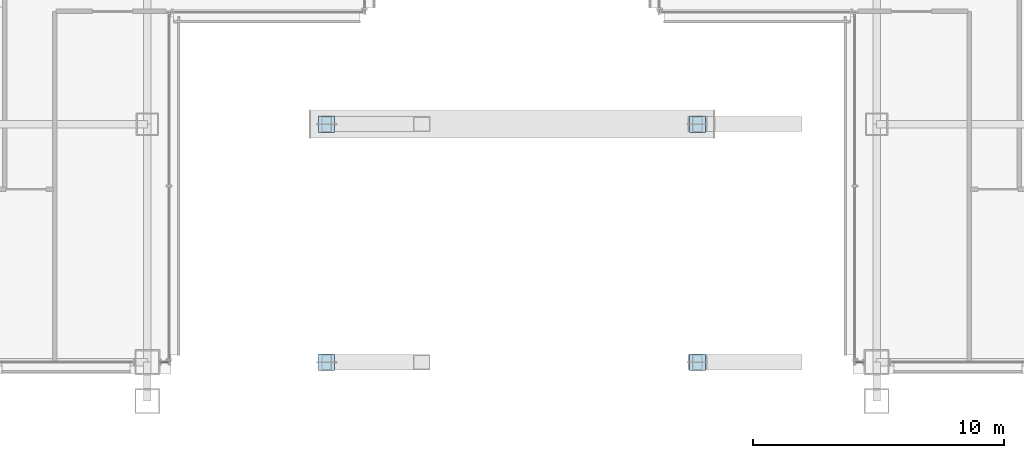
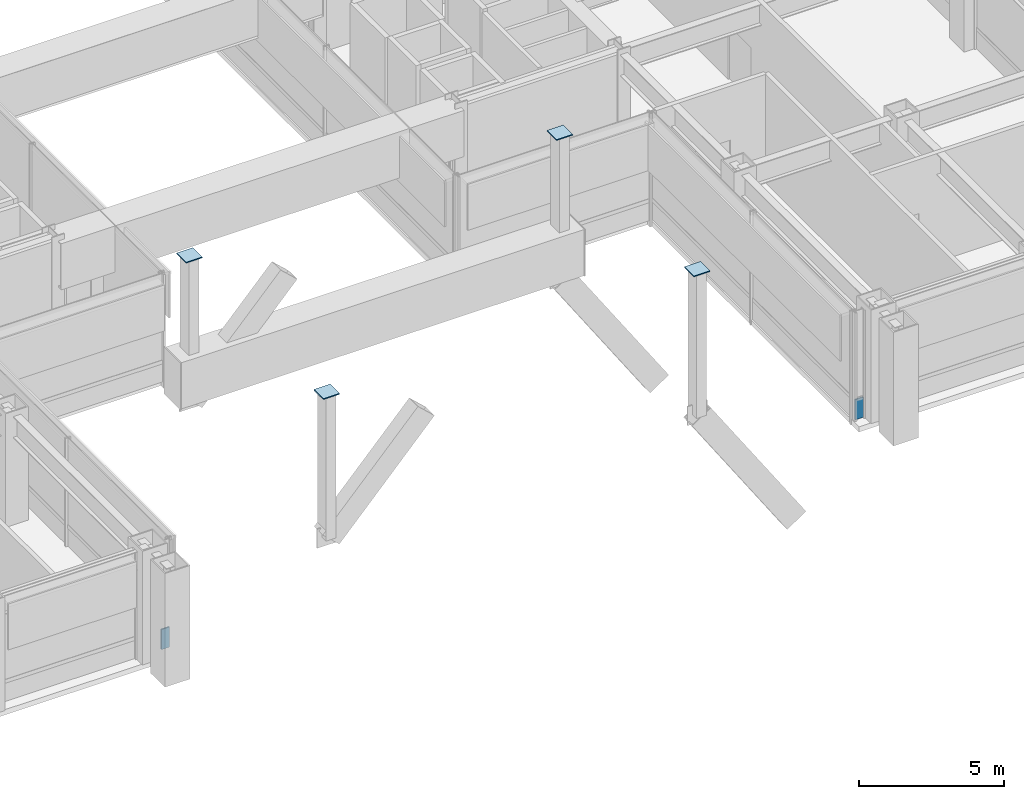
# One storey, part 35 of 42: 6 plates, 2 elements without a shape of their own.
"""IFC4 building model written with IfcOpenShell, lengths in metres."""

from ifc_helpers import new_model, si_unit, direction, frame, origin, origin_2d, place, context, subcontext, project, spatial, rectangle, extrude, material, layer, layer_set, type_object, element, aggregate, save


model = new_model("IFC4")

# Units and contexts
model_context = context("Model", 3, precision=1e-05, world=origin(), true_north=direction((0.0, 1.0)))
body_context = subcontext(model_context, "Body", "Model", "MODEL_VIEW")
ifc_project = project(units=[si_unit("LENGTHUNIT", "METRE"), si_unit("AREAUNIT", "SQUARE_METRE"), si_unit("VOLUMEUNIT", "CUBIC_METRE"), si_unit("PLANEANGLEUNIT", "RADIAN"), si_unit("MASSUNIT", "GRAM", prefix="KILO")], contexts=[model_context])

# Site, building, storey
site_placement = place(None, origin())
site = spatial("IfcSite", under=ifc_project, at=site_placement, CompositionType="ELEMENT")
building_placement = place(site_placement, origin())
building = spatial("IfcBuilding", under=site, at=building_placement, Name="Brelmoor Portico Tower", CompositionType="ELEMENT")
storey_placement = place(building_placement, frame((0.0, 0.0, 9.60009765625)))
storey = spatial("IfcBuildingStorey", under=building, at=storey_placement, Name="L02", CompositionType="ELEMENT", Elevation=9.60009765625)

# Plates
ifc_material_1 = material(Name="Steel Q355B", Category="steel")
ifc_layer_1 = layer(ifc_material_1, 0.044921875)
ifc_layer_set_1 = layer_set([ifc_layer_1], Name="Steel Q355B")
plate_type_1 = type_object("IfcPlateType", Name="PT-CAP-650", PredefinedType="SHEET", material=ifc_layer_set_1)
for number, where, z_axis, x_axis, name in (
    (1, (-7.39990234375, -27.550048828125, 8.532470703125), (0.0, 0.0, 1.0), (1.0, 0.0, 0.0), "Portico Arch Spandrel Strut S1-2 Joint Cap Plate 2"),
    (2, (7.39990234375, -27.550048828125, 8.532470703125), (0.0, 0.0, 1.0), (1.0, 0.0, 0.0), "Portico Arch Spandrel Strut S1-5 Joint Cap Plate 2"),
    (3, (-7.39990234375, -18.050048828125, 8.532470703125), (0.0, 0.0, 1.0), (1.0, 0.0, 0.0), "Portico Arch Spandrel Strut S2-2 Joint Cap Plate 2"),
    (4, (7.39990234375, -18.050048828125, 8.532470703125), (0.0, 0.0, 1.0), (1.0, 0.0, 0.0), "Portico Arch Spandrel Strut S2-5 Joint Cap Plate 2"),
):
    element("IfcPlate", number, at=place(storey_placement, frame(where, z_axis=z_axis, x_axis=x_axis)), inside=storey, type_object=plate_type_1, Name=name, PredefinedType="SHEET", context=body_context, shape_type="SweptSolid", body=[
        extrude(rectangle(XDim=0.64990234375, YDim=0.64990234375, at=origin_2d()), origin(), (0.0, 0.0, 1.0), 0.044921875),
    ])

# Curtain wall, plate
ifc_material_2 = material(Name="Anodised Aluminium Alloy 6063-T6", Category="aluminium")
ifc_layer_2 = layer(ifc_material_2, 0.179931640625)
ifc_layer_set_2 = layer_set([ifc_layer_2], Name="Anodised Aluminium Alloy 6063-T6")
curtain_wall_type = type_object("IfcCurtainWallType", Name="CW-PODIUM-ARCH", PredefinedType="NOTDEFINED", material=ifc_layer_set_2)
curtain_wall_1_placement = place(storey_placement, origin())
curtain_wall_1 = element("IfcCurtainWall", 5, at=curtain_wall_1_placement, inside=storey, type_object=curtain_wall_type, Name="L02 Curtain Wall CW-L02-01-3", PredefinedType="NOTDEFINED")
ifc_material_3 = material(Name="Pale Champagne Anodised Aluminium Panel", Category="aluminium")
ifc_layer_3 = layer(ifc_material_3, 0.050048828125)
ifc_layer_set_3 = layer_set([ifc_layer_3], Name="Pale Champagne Anodised Aluminium Panel")
plate_type_2 = type_object("IfcPlateType", Name="PT-CW-SPANDREL", PredefinedType="SHEET", material=ifc_layer_set_3)
plate_1_placement = place(storey_placement, frame((-13.860107421875, -27.550048828125, -0.000244140625), z_axis=(0.0, 0.0, 1.0), x_axis=(1.0, 0.0, 0.0)))
plate_1 = element("IfcPlate", 6, at=plate_1_placement, type_object=plate_type_2, Name="CW-L02-01-3 Spandrel Panel 00", PredefinedType="SHEET", context=body_context, shape_type="SweptSolid", body=[
    extrude(rectangle(XDim=0.330078125, YDim=0.050048828125, at=origin_2d()), origin(), (0.0, 0.0, 1.0), 0.85009765625),
])
aggregate(curtain_wall_1, [plate_1])

curtain_wall_2_placement = place(storey_placement, origin())
curtain_wall_2 = element("IfcCurtainWall", 7, at=curtain_wall_2_placement, inside=storey, type_object=curtain_wall_type, Name="L02 Curtain Wall CW-L02-02-1", PredefinedType="NOTDEFINED")
plate_2_placement = place(storey_placement, frame((13.860107421875, -27.550048828125, -0.000244140625), z_axis=(0.0, 0.0, 1.0), x_axis=(1.0, 0.0, 0.0)))
plate_2 = element("IfcPlate", 8, at=plate_2_placement, type_object=plate_type_2, Name="CW-L02-02-1 Spandrel Panel 00", PredefinedType="SHEET", context=body_context, shape_type="SweptSolid", body=[
    extrude(rectangle(XDim=0.330078125, YDim=0.050048828125, at=origin_2d()), origin(), (0.0, 0.0, 1.0), 0.85009765625),
])
aggregate(curtain_wall_2, [plate_2])

save(model, "model.ifc")
